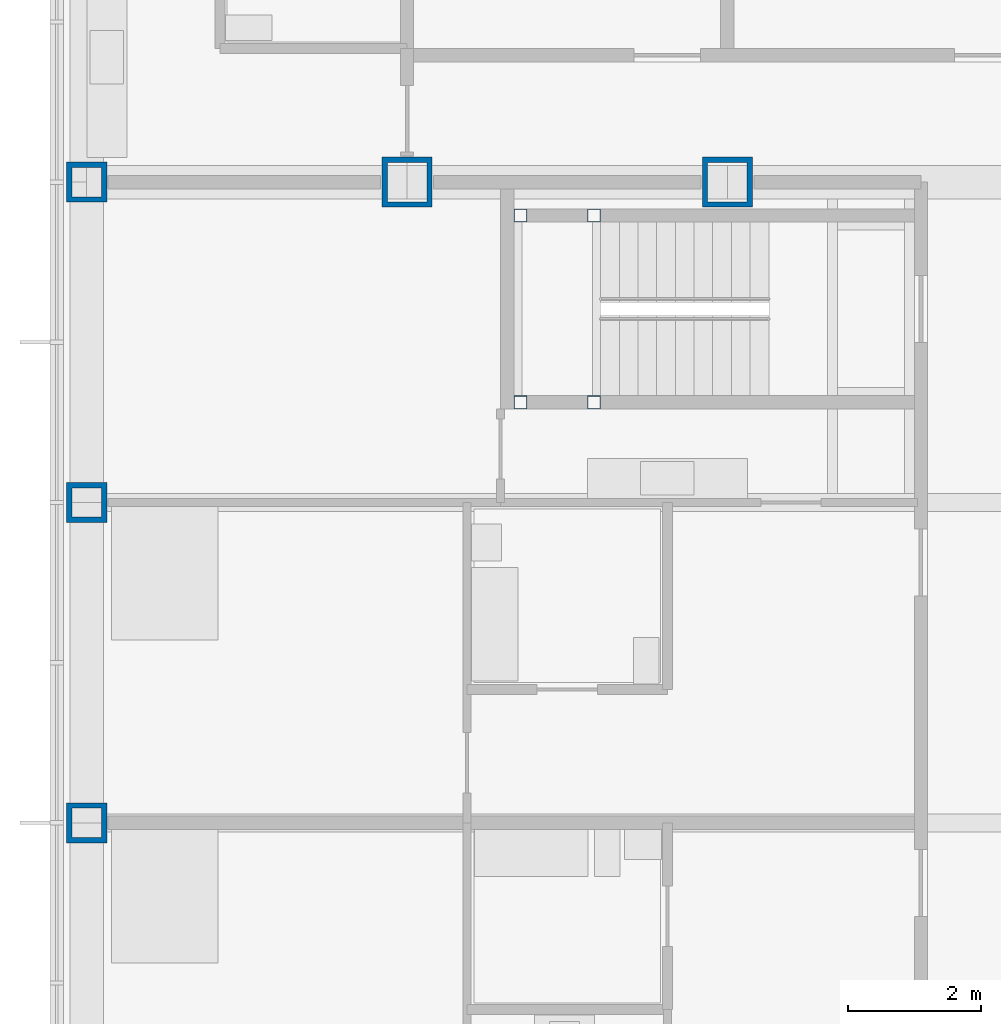
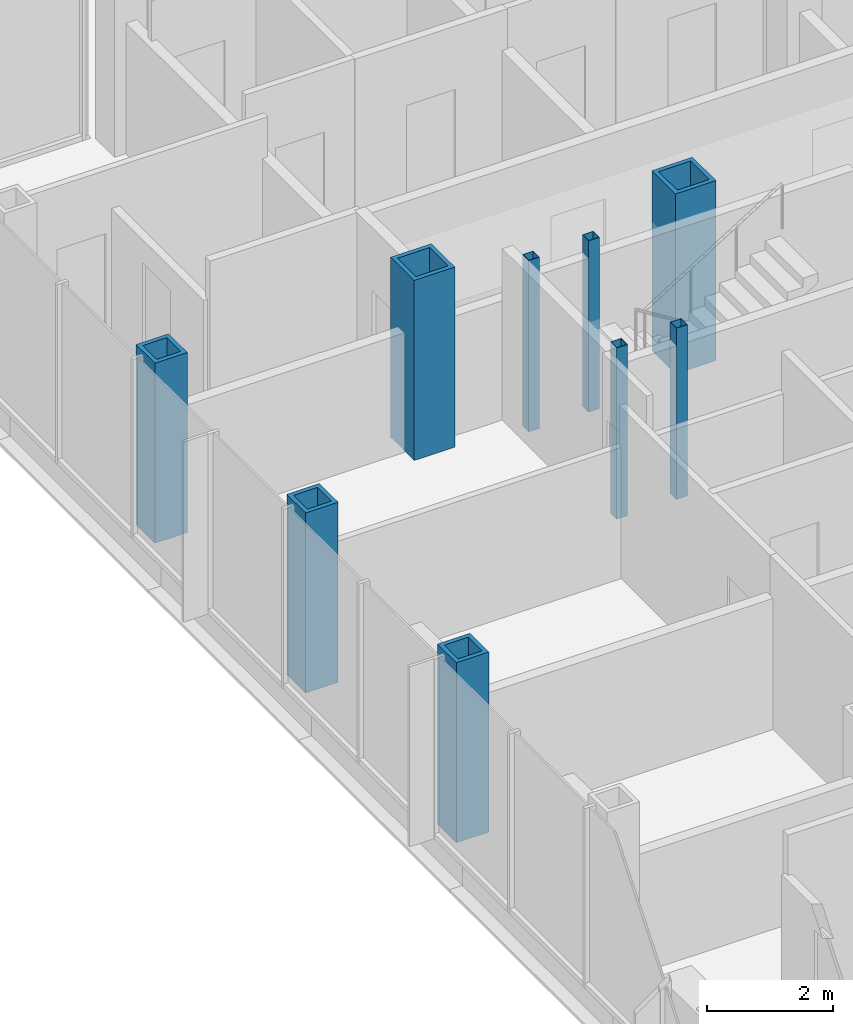
# One storey, part 3 of 22: 9 columns.
"""IFC4 building model written with IfcOpenShell, lengths in metres."""

from ifc_helpers import new_model, si_unit, direction, frame, origin, origin_2d, place, context, subcontext, project, spatial, hollow_rectangle, extrude, material, material_profile, profile_set, type_object, element, save


model = new_model("IFC4")

# Units and contexts
model_context = context("Model", 3, precision=1e-05, world=origin(), true_north=direction((0.0, 1.0)))
body_context = subcontext(model_context, "Body", "Model", "MODEL_VIEW")
ifc_project = project(units=[si_unit("LENGTHUNIT", "METRE"), si_unit("AREAUNIT", "SQUARE_METRE"), si_unit("VOLUMEUNIT", "CUBIC_METRE"), si_unit("PLANEANGLEUNIT", "RADIAN"), si_unit("MASSUNIT", "GRAM", prefix="KILO")], contexts=[model_context])

# Site, building, storey
site_placement = place(None, origin())
site = spatial("IfcSite", under=ifc_project, at=site_placement, CompositionType="ELEMENT")
building_placement = place(site_placement, origin())
building = spatial("IfcBuilding", under=site, at=building_placement, Name="Kvirike Care Tower", CompositionType="ELEMENT")
storey_placement = place(building_placement, frame((0.0, 0.0, 72.5)))
storey = spatial("IfcBuildingStorey", under=building, at=storey_placement, Name="L19", CompositionType="ELEMENT", Elevation=72.5)

# Columns
ifc_material_1 = material(Name="Steel S460", Category="steel")
ifc_material_profile_1 = material_profile(ifc_material_1, hollow_rectangle(XDim=0.60009765625, YDim=0.60009765625, WallThickness=0.080078125, at=origin_2d()), Name="BX 600x600x80")
ifc_profile_set_1 = profile_set([ifc_material_profile_1], Name="Steel S460")
column_type_1 = type_object("IfcColumnType", Name="COLUMN BX 600x600x80", PredefinedType="COLUMN", material=ifc_profile_set_1)
for number, where, z_axis, x_axis, name in (
    (1, (0.0, 33.60009765625, 0.0), (0.0, 0.0, 1.0), (1.0, 0.0, 0.0), "Column H3 L19"),
    (2, (0.0, 38.39990234375, 0.0), (0.0, 0.0, 1.0), (1.0, 0.0, 0.0), "Column J3 L19"),
    (3, (0.0, 43.199951171875, 0.0), (0.0, 0.0, 1.0), (0.0, 1.0, 0.0), "Column K3 L19"),
):
    element("IfcColumn", number, at=place(storey_placement, frame(where, z_axis=z_axis, x_axis=x_axis)), inside=storey, type_object=column_type_1, Name=name, PredefinedType="COLUMN", context=body_context, shape_type="SweptSolid", body=[
        extrude(hollow_rectangle(XDim=0.60009765625, YDim=0.60009765625, WallThickness=0.080078125, at=origin_2d()), origin(), (0.0, 0.0, 1.0), 3.5),
    ])
ifc_material_2 = material(Name="Steel S460", Category="steel")
ifc_material_profile_2 = material_profile(ifc_material_2, hollow_rectangle(XDim=0.75, YDim=0.75, WallThickness=0.080078125, at=origin_2d()), Name="BX 750x750x80")
ifc_profile_set_2 = profile_set([ifc_material_profile_2], Name="Steel S460")
column_type_2 = type_object("IfcColumnType", Name="COLUMN BX 750x750x80", PredefinedType="COLUMN", material=ifc_profile_set_2)
for number, where, z_axis, x_axis, name in (
    (4, (4.800048828125, 43.199951171875, 0.0), (0.0, 0.0, 1.0), (0.0, 1.0, 0.0), "Column K4 L19"),
    (5, (9.60009765625, 43.199951171875, 0.0), (0.0, 0.0, 1.0), (0.0, 1.0, 0.0), "Column K5 L19"),
):
    element("IfcColumn", number, at=place(storey_placement, frame(where, z_axis=z_axis, x_axis=x_axis)), inside=storey, type_object=column_type_2, Name=name, PredefinedType="COLUMN", context=body_context, shape_type="SweptSolid", body=[
        extrude(hollow_rectangle(XDim=0.75, YDim=0.75, WallThickness=0.080078125, at=origin_2d()), origin(), (0.0, 0.0, 1.0), 3.5),
    ])
ifc_material_3 = material(Name="Steel S460", Category="steel")
ifc_material_profile_3 = material_profile(ifc_material_3, hollow_rectangle(XDim=0.199951171875, YDim=0.199951171875, WallThickness=0.008056640625, at=origin_2d()), Name="SHS 200x200x8")
ifc_profile_set_3 = profile_set([ifc_material_profile_3], Name="Steel S460")
column_type_3 = type_object("IfcColumnType", Name="STAIR POST SHS 200x200x8", PredefinedType="COLUMN", material=ifc_profile_set_3)
for number, where, z_axis, x_axis, name in (
    (6, (6.5, 42.699951171875, 0.0), (0.0, 0.0, 1.0), (1.0, 0.0, 0.0), "Stair 1 post 1 L19"),
    (7, (6.5, 39.89990234375, 0.0), (0.0, 0.0, 1.0), (1.0, 0.0, 0.0), "Stair 1 post 2 L19"),
    (8, (7.60009765625, 42.699951171875, 0.0), (0.0, 0.0, 1.0), (1.0, 0.0, 0.0), "Stair 1 post 3 L19"),
    (9, (7.60009765625, 39.89990234375, 0.0), (0.0, 0.0, 1.0), (1.0, 0.0, 0.0), "Stair 1 post 4 L19"),
):
    element("IfcColumn", number, at=place(storey_placement, frame(where, z_axis=z_axis, x_axis=x_axis)), inside=storey, type_object=column_type_3, Name=name, PredefinedType="COLUMN", context=body_context, shape_type="SweptSolid", body=[
        extrude(hollow_rectangle(XDim=0.199951171875, YDim=0.199951171875, WallThickness=0.008056640625, at=origin_2d()), origin(), (0.0, 0.0, 1.0), 3.330078125),
    ])

save(model, "model.ifc")
